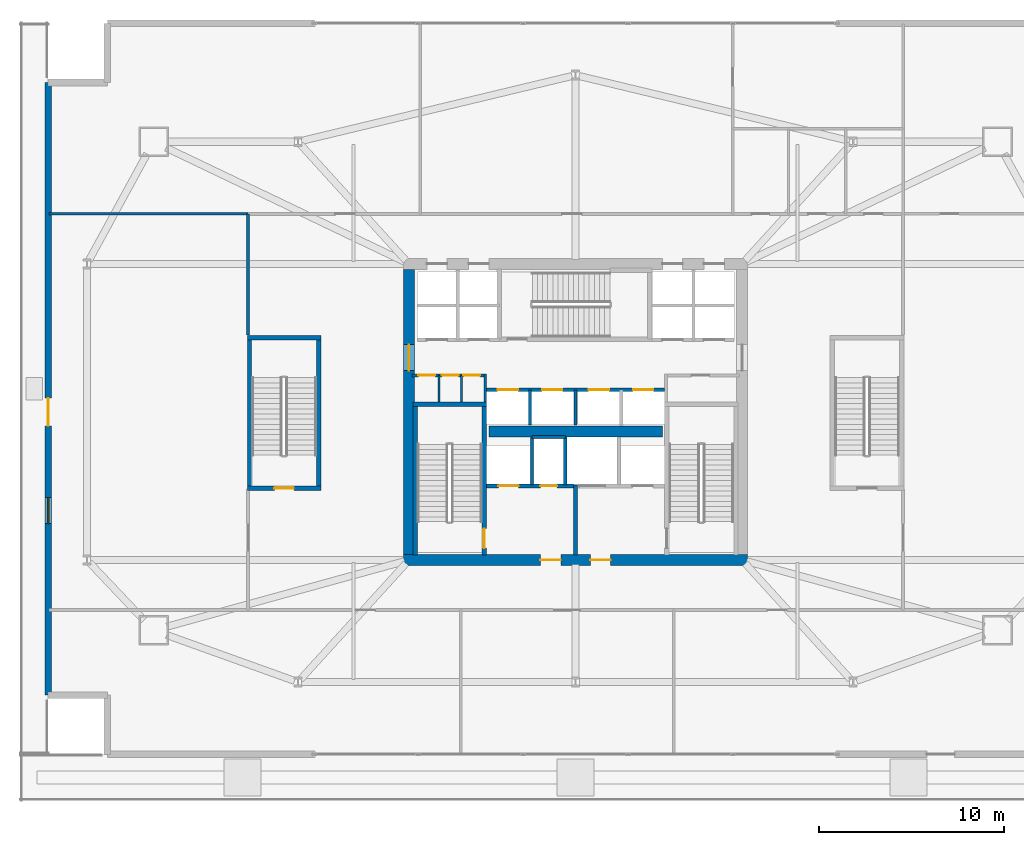
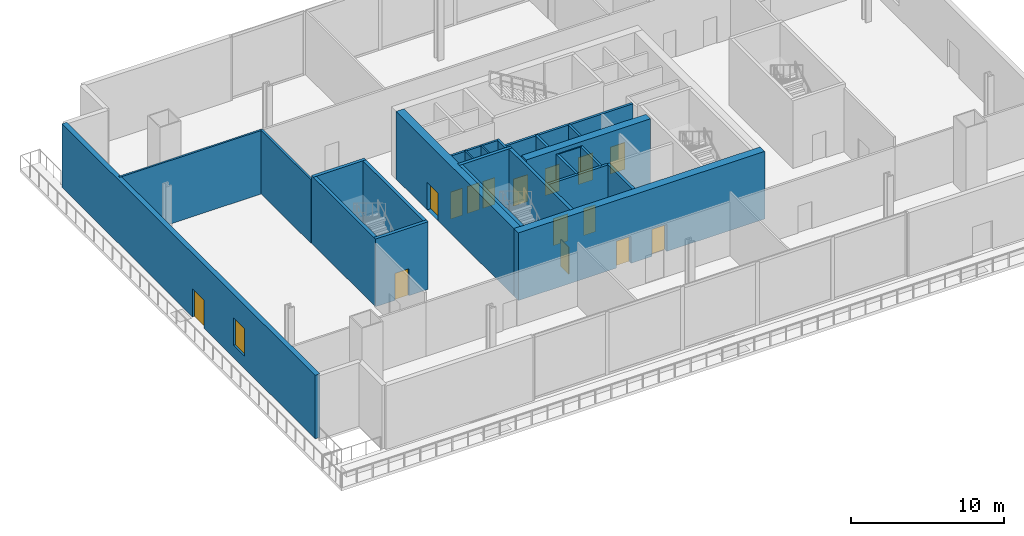
# One storey, part 11 of 20: 25 walls, 15 doors, 1 window, 16 openings.
"""IFC4 building model written with IfcOpenShell, lengths in metres."""

from ifc_helpers import new_model, si_unit, direction, frame, frame_2d, origin, place, context, subcontext, project, spatial, rectangle, extrude, material, layer, layer_set, type_object, element, fill, save


model = new_model("IFC4")

# Units and contexts
model_context = context("Model", 3, precision=1e-05, world=origin(), true_north=direction((0.0, 1.0)))
body_context = subcontext(model_context, "Body", "Model", "MODEL_VIEW")
ifc_project = project(units=[si_unit("LENGTHUNIT", "METRE"), si_unit("AREAUNIT", "SQUARE_METRE"), si_unit("VOLUMEUNIT", "CUBIC_METRE"), si_unit("PLANEANGLEUNIT", "RADIAN"), si_unit("MASSUNIT", "GRAM", prefix="KILO")], contexts=[model_context])

# Site, building, storey
site_placement = place(None, origin())
site = spatial("IfcSite", under=ifc_project, at=site_placement, CompositionType="ELEMENT")
building_placement = place(site_placement, origin())
building = spatial("IfcBuilding", under=site, at=building_placement, Name="Haldenkirk Collegiate Tower", CompositionType="ELEMENT")
storey_placement = place(building_placement, frame((0.0, 0.0, 11.39990234375)))
storey = spatial("IfcBuildingStorey", under=building, at=storey_placement, Name="L02", CompositionType="ELEMENT", Elevation=11.39990234375)

# Wall, openings, doors
ifc_material_1 = material(Name="Concrete f'c 70 MPa", Category="concrete")
ifc_layer_1 = layer(ifc_material_1, 0.60009765625)
ifc_layer_set_1 = layer_set([ifc_layer_1], Name="Concrete f'c 70 MPa")
wall_type_1 = type_object("IfcWallType", Name="WL-CORE-600", PredefinedType="SHEAR", material=ifc_layer_set_1)
wall_1_placement = place(storey_placement, frame((26.699951171875, 18.0, 0.0), z_axis=(0.0, 0.0, 1.0), x_axis=(1.0, 0.0, 0.0)))
wall_1 = element("IfcWall", 1, at=wall_1_placement, inside=storey, type_object=wall_type_1, Name="L02 central core shear wall S", PredefinedType="SHEAR", context=body_context, shape_type="SweptSolid", body=[
    extrude(rectangle(XDim=18.60009765625, YDim=0.60009765625, at=frame_2d((9.300048828125, 0.0))), origin(), (0.0, 0.0, 1.0), 5.400146484375),
])
opening_1_placement = place(wall_1_placement, frame((7.39990234375, 0.0, 0.0)))
opening_1 = element("IfcOpeningElement", 2, at=opening_1_placement, cuts=wall_1, Name="Opening D-02", PredefinedType="OPENING", context=body_context, shape_type="SweptSolid", body=[
    extrude(rectangle(XDim=1.10009765625, YDim=2.14990234375, at=frame_2d((0.550048828125, 1.074951171875))), frame((0.0, 0.31005859375, 0.0), z_axis=(0.0, -1.0, 0.0), x_axis=(1.0, 0.0, 0.0)), (0.0, 0.0, 1.0), 0.6201171875),
])
opening_2_placement = place(wall_1_placement, frame((10.10009765625, 0.0, 0.0)))
opening_2 = element("IfcOpeningElement", 3, at=opening_2_placement, cuts=wall_1, Name="Opening D-02", PredefinedType="OPENING", context=body_context, shape_type="SweptSolid", body=[
    extrude(rectangle(XDim=1.10009765625, YDim=2.14990234375, at=frame_2d((0.550048828125, 1.074951171875))), frame((0.0, 0.31005859375, 0.0), z_axis=(0.0, -1.0, 0.0), x_axis=(1.0, 0.0, 0.0)), (0.0, 0.0, 1.0), 0.6201171875),
])
ifc_material_2 = material(Name="Galvanized fire-rated hollow steel door", Category="steel")
ifc_layer_2 = layer(ifc_material_2, 0.06005859375)
ifc_layer_set_2 = layer_set([ifc_layer_2], Name="Galvanized fire-rated hollow steel door")
door_type_1 = type_object("IfcDoorType", Name="DR-STAIR-FD90-1100", OperationType="NOTDEFINED", PredefinedType="DOOR", material=ifc_layer_set_2)
door_1_placement = place(opening_1_placement, origin())
door_1 = element("IfcDoor", 4, at=door_1_placement, inside=storey, type_object=door_type_1, Name="L02 Firefighting Lobby 1 door", OperationType="SINGLE_SWING_LEFT", OverallHeight=2.14990234375, OverallWidth=1.10009765625, PredefinedType="DOOR", context=body_context, shape_type="SweptSolid", body=[
    extrude(rectangle(XDim=1.10009765625, YDim=2.14990234375, at=frame_2d((0.550048828125, 1.074951171875))), frame((0.0, 0.02490234375, 0.0), z_axis=(0.0, -1.0, 0.0), x_axis=(1.0, 0.0, 0.0)), (0.0, 0.0, 1.0), 0.050048828125),
])
fill(opening_1, door_1)
door_2_placement = place(opening_2_placement, origin())
door_2 = element("IfcDoor", 5, at=door_2_placement, inside=storey, type_object=door_type_1, Name="L02 Firefighting Lobby 2 door", OperationType="SINGLE_SWING_RIGHT", OverallHeight=2.14990234375, OverallWidth=1.10009765625, PredefinedType="DOOR", context=body_context, shape_type="SweptSolid", body=[
    extrude(rectangle(XDim=1.10009765625, YDim=2.14990234375, at=frame_2d((0.550048828125, 1.074951171875))), frame((0.0, 0.02490234375, 0.0), z_axis=(0.0, -1.0, 0.0), x_axis=(1.0, 0.0, 0.0)), (0.0, 0.0, 1.0), 0.050048828125),
])
fill(opening_2, door_2)

# Wall, opening, door
wall_2_placement = place(storey_placement, frame((27.0, 18.300048828125, 0.0), z_axis=(0.0, 0.0, 1.0), x_axis=(0.0, 1.0, 0.0)))
wall_2 = element("IfcWall", 6, at=wall_2_placement, inside=storey, type_object=wall_type_1, Name="L02 central core shear wall W", PredefinedType="SHEAR", context=body_context, shape_type="SweptSolid", body=[
    extrude(rectangle(XDim=15.39990234375, YDim=0.60009765625, at=frame_2d((7.699951171875, 0.0))), origin(), (0.0, 0.0, 1.0), 5.400146484375),
])
opening_3_placement = place(wall_2_placement, frame((9.93994140625, 0.0, 0.0)))
opening_3 = element("IfcOpeningElement", 7, at=opening_3_placement, cuts=wall_2, Name="Opening D-03", PredefinedType="OPENING", context=body_context, shape_type="SweptSolid", body=[
    extrude(rectangle(XDim=1.39990234375, YDim=2.199951171875, at=frame_2d((0.699951171875, 1.10009765625))), frame((0.0, 0.31005859375, 0.0), z_axis=(0.0, -1.0, 0.0), x_axis=(1.0, 0.0, 0.0)), (0.0, 0.0, 1.0), 0.6201171875),
])
ifc_layer_3 = layer(ifc_material_2, 0.06005859375)
ifc_layer_set_3 = layer_set([ifc_layer_3], Name="Galvanized fire-rated hollow steel door")
door_type_2 = type_object("IfcDoorType", Name="DR-LOBBY-FD90-1400", OperationType="NOTDEFINED", PredefinedType="DOOR", material=ifc_layer_set_3)
door_3_placement = place(opening_3_placement, origin())
door_3 = element("IfcDoor", 8, at=door_3_placement, inside=storey, type_object=door_type_2, Name="L02 west lift lobby portal", OperationType="DOUBLE_DOOR_SINGLE_SWING", OverallHeight=2.199951171875, OverallWidth=1.39990234375, PredefinedType="DOOR", context=body_context, shape_type="SweptSolid", body=[
    extrude(rectangle(XDim=1.39990234375, YDim=2.199951171875, at=frame_2d((0.699951171875, 1.10009765625))), frame((0.0, 0.02490234375, 0.0), z_axis=(0.0, -1.0, 0.0), x_axis=(1.0, 0.0, 0.0)), (0.0, 0.0, 1.0), 0.050048828125),
])
fill(opening_3, door_3)

# Wall
wall_3_placement = place(storey_placement, frame((31.31005859375, 24.949951171875, 0.0), z_axis=(0.0, 0.0, 1.0), x_axis=(1.0, 0.0, 0.0)))
element("IfcWall", 9, at=wall_3_placement, inside=storey, type_object=wall_type_1, Name="L02 central core spine shear wall", PredefinedType="SHEAR", context=body_context, shape_type="SweptSolid", body=[
    extrude(rectangle(XDim=9.3798828125, YDim=0.60009765625, at=frame_2d((4.68994140625, 0.0))), origin(), (0.0, 0.0, 1.0), 5.400146484375),
])

# Wall, openings, door, window
ifc_material_3 = material(Name="Precast concrete f'c 40 MPa", Category="concrete")
ifc_layer_4 = layer(ifc_material_3, 0.360107421875)
ifc_layer_set_4 = layer_set([ifc_layer_4], Name="Precast concrete f'c 40 MPa")
wall_type_2 = type_object("IfcWallType", Name="WL-EXT-POD-360", PredefinedType="STANDARD", material=ifc_layer_set_4)
wall_4_placement = place(storey_placement, frame((7.5, 10.699951171875, 0.0), z_axis=(0.0, 0.0, 1.0), x_axis=(0.0, 1.0, 0.0)))
wall_4 = element("IfcWall", 10, at=wall_4_placement, inside=storey, type_object=wall_type_2, Name="L02 podium bronze precast wall 10", PredefinedType="STANDARD", context=body_context, shape_type="SweptSolid", body=[
    extrude(rectangle(XDim=33.10009765625, YDim=0.360107421875, at=frame_2d((16.550048828125, 0.0))), origin(), (0.0, 0.0, 1.0), 5.070068359375),
])
opening_4_placement = place(wall_4_placement, frame((14.550048828125, 0.0, 0.0)))
opening_4 = element("IfcOpeningElement", 11, at=opening_4_placement, cuts=wall_4, Name="Opening D-PT15", PredefinedType="OPENING", context=body_context, shape_type="SweptSolid", body=[
    extrude(rectangle(XDim=1.5, YDim=2.25, at=frame_2d((0.75, 1.125))), frame((0.0, 0.18994140625, 0.0), z_axis=(0.0, -1.0, 0.0), x_axis=(1.0, 0.0, 0.0)), (0.0, 0.0, 1.0), 0.380126953125),
])
opening_5_placement = place(wall_4_placement, frame((9.26806640625, 0.0, 1.0)))
opening_5 = element("IfcOpeningElement", 12, at=opening_5_placement, cuts=wall_4, Name="Opening W-02", PredefinedType="OPENING", context=body_context, shape_type="SweptSolid", body=[
    extrude(rectangle(XDim=1.39990234375, YDim=2.199951171875, at=frame_2d((0.699951171875, 1.10009765625))), frame((0.0, 0.18994140625, 0.0), z_axis=(0.0, -1.0, 0.0), x_axis=(1.0, 0.0, 0.0)), (0.0, 0.0, 1.0), 0.380126953125),
])
ifc_material_4 = material(Name="Anodised architectural bronze aluminium", Category="aluminium")
ifc_layer_5 = layer(ifc_material_4, 0.080078125)
ifc_layer_set_5 = layer_set([ifc_layer_5], Name="Anodised architectural bronze aluminium")
door_type_3 = type_object("IfcDoorType", Name="DR-EXT-PTER-1500", OperationType="NOTDEFINED", PredefinedType="DOOR", material=ifc_layer_set_5)
door_4_placement = place(opening_4_placement, origin())
door_4 = element("IfcDoor", 13, at=door_4_placement, inside=storey, type_object=door_type_3, Name="L02 W cascade terrace door", OperationType="DOUBLE_DOOR_SINGLE_SWING", OverallHeight=2.25, OverallWidth=1.5, PredefinedType="DOOR", context=body_context, shape_type="SweptSolid", body=[
    extrude(rectangle(XDim=1.5, YDim=2.25, at=frame_2d((0.75, 1.125))), frame((0.0, 0.02490234375, 0.0), z_axis=(0.0, -1.0, 0.0), x_axis=(1.0, 0.0, 0.0)), (0.0, 0.0, 1.0), 0.050048828125),
])
fill(opening_4, door_4)
ifc_material_5 = material(Name="Low-E argon triple insulating glass", Category="glass")
ifc_layer_6 = layer(ifc_material_5, 0.090087890625)
ifc_layer_set_6 = layer_set([ifc_layer_6], Name="Low-E argon triple insulating glass")
window_type = type_object("IfcWindowType", Name="WN-POD-1400X2200", PartitioningType="SINGLE_PANEL", PredefinedType="WINDOW", material=ifc_layer_set_6)
window_placement = place(opening_5_placement, origin())
window = element("IfcWindow", 14, at=window_placement, inside=storey, type_object=window_type, Name="L02 podium academic window 10A", OverallHeight=2.199951171875, OverallWidth=1.39990234375, PartitioningType="SINGLE_PANEL", PredefinedType="WINDOW", context=body_context, shape_type="SweptSolid", body=[
    extrude(rectangle(XDim=1.39990234375, YDim=2.199951171875, at=frame_2d((0.699951171875, 1.10009765625))), frame((0.0, 0.030029296875, 0.0), z_axis=(0.0, -1.0, 0.0), x_axis=(1.0, 0.0, 0.0)), (0.0, 0.0, 1.0), 0.06005859375),
])
fill(opening_5, window)

# Wall, openings, doors
ifc_material_6 = material(Name="Acoustic fire-rated gypsum partition", Category="concrete")
ifc_layer_7 = layer(ifc_material_6, 0.159912109375)
ifc_layer_set_7 = layer_set([ifc_layer_7], Name="Acoustic fire-rated gypsum partition")
wall_type_3 = type_object("IfcWallType", Name="WL-INT-CORR-160", PredefinedType="PARTITIONING", material=ifc_layer_set_7)
wall_5_placement = place(storey_placement, frame((27.14990234375, 27.97998046875, 0.0), z_axis=(0.0, 0.0, 1.0), x_axis=(1.0, 0.0, 0.0)))
wall_5 = element("IfcWall", 15, at=wall_5_placement, inside=storey, type_object=wall_type_3, Name="L02 interior partition IW-L02-VCSW-N", PredefinedType="PARTITIONING", context=body_context, shape_type="SweptSolid", body=[
    extrude(rectangle(XDim=4.050048828125, YDim=0.159912109375, at=frame_2d((2.02490234375, 0.0))), origin(), (0.0, 0.0, 1.0), 5.070068359375),
])
opening_6_placement = place(wall_5_placement, frame((0.360107421875, 0.0, 0.0)))
opening_6 = element("IfcOpeningElement", 16, at=opening_6_placement, cuts=wall_5, Name="Opening D-11", PredefinedType="OPENING", context=body_context, shape_type="SweptSolid", body=[
    extrude(rectangle(XDim=0.89990234375, YDim=2.14990234375, at=frame_2d((0.449951171875, 1.074951171875))), frame((0.0, 0.08984375, 0.0), z_axis=(0.0, -1.0, 0.0), x_axis=(1.0, 0.0, 0.0)), (0.0, 0.0, 1.0), 0.179931640625),
])
opening_7_placement = place(wall_5_placement, frame((1.6298828125, 0.0, 0.0)))
opening_7 = element("IfcOpeningElement", 17, at=opening_7_placement, cuts=wall_5, Name="Opening D-11", PredefinedType="OPENING", context=body_context, shape_type="SweptSolid", body=[
    extrude(rectangle(XDim=0.89990234375, YDim=2.14990234375, at=frame_2d((0.449951171875, 1.074951171875))), frame((0.0, 0.08984375, 0.0), z_axis=(0.0, -1.0, 0.0), x_axis=(1.0, 0.0, 0.0)), (0.0, 0.0, 1.0), 0.179931640625),
])
opening_8_placement = place(wall_5_placement, frame((2.78759765625, 0.0, 0.0)))
opening_8 = element("IfcOpeningElement", 18, at=opening_8_placement, cuts=wall_5, Name="Opening D-11", PredefinedType="OPENING", context=body_context, shape_type="SweptSolid", body=[
    extrude(rectangle(XDim=0.89990234375, YDim=2.14990234375, at=frame_2d((0.449951171875, 1.074951171875))), frame((0.0, 0.08984375, 0.0), z_axis=(0.0, -1.0, 0.0), x_axis=(1.0, 0.0, 0.0)), (0.0, 0.0, 1.0), 0.179931640625),
])
ifc_material_7 = material(Name="Solid-core architectural oak fire door", Category="wood")
ifc_layer_8 = layer(ifc_material_7, 0.06005859375)
ifc_layer_set_8 = layer_set([ifc_layer_8], Name="Solid-core architectural oak fire door")
door_type_4 = type_object("IfcDoorType", Name="DR-INT-FD60-900", OperationType="NOTDEFINED", PredefinedType="DOOR", material=ifc_layer_set_8)
door_5_placement = place(opening_6_placement, origin())
door_5 = element("IfcDoor", 19, at=door_5_placement, inside=storey, type_object=door_type_4, Name="L02 core study booth door", OperationType="SINGLE_SWING_RIGHT", OverallHeight=2.14990234375, OverallWidth=0.89990234375, PredefinedType="DOOR", context=body_context, shape_type="SweptSolid", body=[
    extrude(rectangle(XDim=0.89990234375, YDim=2.14990234375, at=frame_2d((0.449951171875, 1.074951171875))), frame((0.0, 0.02490234375, 0.0), z_axis=(0.0, -1.0, 0.0), x_axis=(1.0, 0.0, 0.0)), (0.0, 0.0, 1.0), 0.050048828125),
])
fill(opening_6, door_5)
door_6_placement = place(opening_7_placement, origin())
door_6 = element("IfcDoor", 20, at=door_6_placement, inside=storey, type_object=door_type_4, Name="L02 core cleaners door", OperationType="SINGLE_SWING_LEFT", OverallHeight=2.14990234375, OverallWidth=0.89990234375, PredefinedType="DOOR", context=body_context, shape_type="SweptSolid", body=[
    extrude(rectangle(XDim=0.89990234375, YDim=2.14990234375, at=frame_2d((0.449951171875, 1.074951171875))), frame((0.0, 0.02490234375, 0.0), z_axis=(0.0, -1.0, 0.0), x_axis=(1.0, 0.0, 0.0)), (0.0, 0.0, 1.0), 0.050048828125),
])
fill(opening_7, door_6)
door_7_placement = place(opening_8_placement, origin())
door_7 = element("IfcDoor", 21, at=door_7_placement, inside=storey, type_object=door_type_4, Name="L02 core stationery door", OperationType="SINGLE_SWING_RIGHT", OverallHeight=2.14990234375, OverallWidth=0.89990234375, PredefinedType="DOOR", context=body_context, shape_type="SweptSolid", body=[
    extrude(rectangle(XDim=0.89990234375, YDim=2.14990234375, at=frame_2d((0.449951171875, 1.074951171875))), frame((0.0, 0.02490234375, 0.0), z_axis=(0.0, -1.0, 0.0), x_axis=(1.0, 0.0, 0.0)), (0.0, 0.0, 1.0), 0.050048828125),
])
fill(opening_8, door_7)

# Walls
wall_6_placement = place(storey_placement, frame((31.1201171875, 26.5400390625, 0.0), z_axis=(0.0, 0.0, 1.0), x_axis=(0.0, 1.0, 0.0)))
element("IfcWall", 22, at=wall_6_placement, inside=storey, type_object=wall_type_3, Name="L02 interior partition IW-L02-VCSW-E", PredefinedType="PARTITIONING", context=body_context, shape_type="SweptSolid", body=[
    extrude(rectangle(XDim=1.510009765625, YDim=0.159912109375, at=frame_2d((0.7548828125, 0.0))), origin(), (0.0, 0.0, 1.0), 5.070068359375),
])
wall_7_placement = place(storey_placement, frame((18.300048828125, 30.14990234375, 0.0), z_axis=(0.0, 0.0, 1.0), x_axis=(0.0, 1.0, 0.0)))
element("IfcWall", 23, at=wall_7_placement, inside=storey, type_object=wall_type_3, Name="L02 interior partition IW-L02-CW2", PredefinedType="PARTITIONING", context=body_context, shape_type="SweptSolid", body=[
    extrude(rectangle(XDim=6.550048828125, YDim=0.159912109375, at=frame_2d((3.27490234375, 0.0))), origin(), (0.0, 0.0, 1.0), 5.070068359375),
])
ifc_layer_9 = layer(ifc_material_6, 0.139892578125)
ifc_layer_set_9 = layer_set([ifc_layer_9], Name="Acoustic fire-rated gypsum partition")
wall_type_4 = type_object("IfcWallType", Name="WL-INT-DIV-140", PredefinedType="PARTITIONING", material=ifc_layer_set_9)
wall_8_placement = place(storey_placement, frame((7.5400390625, 36.699951171875, 0.0), z_axis=(0.0, 0.0, 1.0), x_axis=(1.0, 0.0, 0.0)))
element("IfcWall", 24, at=wall_8_placement, inside=storey, type_object=wall_type_4, Name="L02 interior partition IW-L02-WCN1", PredefinedType="PARTITIONING", context=body_context, shape_type="SweptSolid", body=[
    extrude(rectangle(XDim=10.760009765625, YDim=0.139892578125, at=frame_2d((5.3798828125, 0.0))), origin(), (0.0, 0.0, 1.0), 5.070068359375),
])
ifc_material_8 = material(Name="Fire-rated gypsum shaftboard assembly", Category="concrete")
ifc_layer_10 = layer(ifc_material_8, 0.179931640625)
ifc_layer_set_10 = layer_set([ifc_layer_10], Name="Fire-rated gypsum shaftboard assembly")
wall_type_5 = type_object("IfcWallType", Name="WL-INT-SHAFT-180", PredefinedType="PARTITIONING", material=ifc_layer_set_10)
for number, where, z_axis, x_axis, name in (
    (25, (33.64990234375, 22.050048828125, 0.0), (0.0, 0.0, 1.0), (0.0, 1.0, 0.0), "L02 interior partition IW-L02-FL1E"),
    (26, (35.449951171875, 22.050048828125, 0.0), (0.0, 0.0, 1.0), (0.0, 1.0, 0.0), "L02 interior partition IW-L02-GL1W"),
):
    element("IfcWall", number, at=place(storey_placement, frame(where, z_axis=z_axis, x_axis=x_axis)), inside=storey, type_object=wall_type_5, Name=name, PredefinedType="PARTITIONING", context=body_context, shape_type="SweptSolid", body=[
        extrude(rectangle(XDim=2.599853515625, YDim=0.179931640625, at=frame_2d((1.2998046875, 0.0))), origin(), (0.0, 0.0, 1.0), 5.070068359375),
    ])
wall_9_placement = place(storey_placement, frame((33.64990234375, 24.64990234375, 0.0), z_axis=(0.0, 0.0, 1.0), x_axis=(1.0, 0.0, 0.0)))
element("IfcWall", 27, at=wall_9_placement, inside=storey, type_object=wall_type_5, Name="L02 interior partition IW-L02-RSRN", PredefinedType="PARTITIONING", context=body_context, shape_type="SweptSolid", body=[
    extrude(rectangle(XDim=1.800048828125, YDim=0.179931640625, at=frame_2d((0.89990234375, 0.0))), origin(), (0.0, 0.0, 1.0), 5.070068359375),
])

# Wall, openings, doors
wall_10_placement = place(storey_placement, frame((31.199951171875, 27.199951171875, 0.0), z_axis=(0.0, 0.0, 1.0), x_axis=(1.0, 0.0, 0.0)))
wall_10 = element("IfcWall", 28, at=wall_10_placement, inside=storey, type_object=wall_type_5, Name="L02 interior partition IW-L02-PHN", PredefinedType="PARTITIONING", context=body_context, shape_type="SweptSolid", body=[
    extrude(rectangle(XDim=9.60009765625, YDim=0.179931640625, at=frame_2d((4.800048828125, 0.0))), origin(), (0.0, 0.0, 1.0), 5.070068359375),
])
opening_9_placement = place(wall_10_placement, frame((0.590087890625, 0.0, 0.0)))
opening_9 = element("IfcOpeningElement", 29, at=opening_9_placement, cuts=wall_10, Name="Opening LD-11", PredefinedType="OPENING", context=body_context, shape_type="SweptSolid", body=[
    extrude(rectangle(XDim=1.10009765625, YDim=2.14990234375, at=frame_2d((0.550048828125, 1.074951171875))), frame((0.0, 0.099853515625, 0.0), z_axis=(0.0, -1.0, 0.0), x_axis=(1.0, 0.0, 0.0)), (0.0, 0.0, 1.0), 0.199951171875),
])
opening_10_placement = place(wall_10_placement, frame((2.989990234375, 0.0, 0.0)))
opening_10 = element("IfcOpeningElement", 30, at=opening_10_placement, cuts=wall_10, Name="Opening LD-11", PredefinedType="OPENING", context=body_context, shape_type="SweptSolid", body=[
    extrude(rectangle(XDim=1.10009765625, YDim=2.14990234375, at=frame_2d((0.550048828125, 1.074951171875))), frame((0.0, 0.099853515625, 0.0), z_axis=(0.0, -1.0, 0.0), x_axis=(1.0, 0.0, 0.0)), (0.0, 0.0, 1.0), 0.199951171875),
])
opening_11_placement = place(wall_10_placement, frame((5.510009765625, 0.0, 0.0)))
opening_11 = element("IfcOpeningElement", 31, at=opening_11_placement, cuts=wall_10, Name="Opening LD-11", PredefinedType="OPENING", context=body_context, shape_type="SweptSolid", body=[
    extrude(rectangle(XDim=1.10009765625, YDim=2.14990234375, at=frame_2d((0.550048828125, 1.074951171875))), frame((0.0, 0.099853515625, 0.0), z_axis=(0.0, -1.0, 0.0), x_axis=(1.0, 0.0, 0.0)), (0.0, 0.0, 1.0), 0.199951171875),
])
opening_12_placement = place(wall_10_placement, frame((7.909912109375, 0.0, 0.0)))
opening_12 = element("IfcOpeningElement", 32, at=opening_12_placement, cuts=wall_10, Name="Opening LD-11", PredefinedType="OPENING", context=body_context, shape_type="SweptSolid", body=[
    extrude(rectangle(XDim=1.10009765625, YDim=2.14990234375, at=frame_2d((0.550048828125, 1.074951171875))), frame((0.0, 0.099853515625, 0.0), z_axis=(0.0, -1.0, 0.0), x_axis=(1.0, 0.0, 0.0)), (0.0, 0.0, 1.0), 0.199951171875),
])
ifc_material_9 = material(Name="Brushed architectural stainless steel", Category="steel")
ifc_layer_11 = layer(ifc_material_9, 0.06005859375)
ifc_layer_set_11 = layer_set([ifc_layer_11], Name="Brushed architectural stainless steel")
door_type_5 = type_object("IfcDoorType", Name="LD-PASS-1100", OperationType="NOTDEFINED", PredefinedType="DOOR", material=ifc_layer_set_11)
door_8_placement = place(opening_9_placement, origin())
door_8 = element("IfcDoor", 33, at=door_8_placement, inside=storey, type_object=door_type_5, Name="L02 Elevator PH1 sliding landing door", OperationType="SLIDING_TO_LEFT", OverallHeight=2.14990234375, OverallWidth=1.10009765625, PredefinedType="DOOR", context=body_context, shape_type="SweptSolid", body=[
    extrude(rectangle(XDim=1.10009765625, YDim=2.14990234375, at=frame_2d((0.550048828125, 1.074951171875))), frame((0.0, 0.02490234375, 0.0), z_axis=(0.0, -1.0, 0.0), x_axis=(1.0, 0.0, 0.0)), (0.0, 0.0, 1.0), 0.050048828125),
])
fill(opening_9, door_8)
door_9_placement = place(opening_10_placement, origin())
door_9 = element("IfcDoor", 34, at=door_9_placement, inside=storey, type_object=door_type_5, Name="L02 Elevator PH2 sliding landing door", OperationType="SLIDING_TO_LEFT", OverallHeight=2.14990234375, OverallWidth=1.10009765625, PredefinedType="DOOR", context=body_context, shape_type="SweptSolid", body=[
    extrude(rectangle(XDim=1.10009765625, YDim=2.14990234375, at=frame_2d((0.550048828125, 1.074951171875))), frame((0.0, 0.02490234375, 0.0), z_axis=(0.0, -1.0, 0.0), x_axis=(1.0, 0.0, 0.0)), (0.0, 0.0, 1.0), 0.050048828125),
])
fill(opening_10, door_9)
door_10_placement = place(opening_11_placement, origin())
door_10 = element("IfcDoor", 35, at=door_10_placement, inside=storey, type_object=door_type_5, Name="L02 Elevator PH3 sliding landing door", OperationType="SLIDING_TO_LEFT", OverallHeight=2.14990234375, OverallWidth=1.10009765625, PredefinedType="DOOR", context=body_context, shape_type="SweptSolid", body=[
    extrude(rectangle(XDim=1.10009765625, YDim=2.14990234375, at=frame_2d((0.550048828125, 1.074951171875))), frame((0.0, 0.02490234375, 0.0), z_axis=(0.0, -1.0, 0.0), x_axis=(1.0, 0.0, 0.0)), (0.0, 0.0, 1.0), 0.050048828125),
])
fill(opening_11, door_10)
door_11_placement = place(opening_12_placement, origin())
door_11 = element("IfcDoor", 36, at=door_11_placement, inside=storey, type_object=door_type_5, Name="L02 Elevator PH4 sliding landing door", OperationType="SLIDING_TO_LEFT", OverallHeight=2.14990234375, OverallWidth=1.10009765625, PredefinedType="DOOR", context=body_context, shape_type="SweptSolid", body=[
    extrude(rectangle(XDim=1.10009765625, YDim=2.14990234375, at=frame_2d((0.550048828125, 1.074951171875))), frame((0.0, 0.02490234375, 0.0), z_axis=(0.0, -1.0, 0.0), x_axis=(1.0, 0.0, 0.0)), (0.0, 0.0, 1.0), 0.050048828125),
])
fill(opening_12, door_11)

# Walls
for number, where, z_axis, x_axis, name in (
    (37, (33.5400390625, 25.300048828125, 0.0), (0.0, 0.0, 1.0), (0.0, 1.0, 0.0), "L02 interior partition IW-L02-PHV1"),
    (38, (36.0, 25.300048828125, 0.0), (0.0, 0.0, 1.0), (0.0, 1.0, 0.0), "L02 interior partition IW-L02-PHV2"),
):
    element("IfcWall", number, at=place(storey_placement, frame(where, z_axis=z_axis, x_axis=x_axis)), inside=storey, type_object=wall_type_5, Name=name, PredefinedType="PARTITIONING", context=body_context, shape_type="SweptSolid", body=[
        extrude(rectangle(XDim=1.89990234375, YDim=0.179931640625, at=frame_2d((0.949951171875, 0.0))), origin(), (0.0, 0.0, 1.0), 5.070068359375),
    ])
ifc_layer_12 = layer(ifc_material_8, 0.199951171875)
ifc_layer_set_12 = layer_set([ifc_layer_12], Name="Fire-rated gypsum shaftboard assembly")
wall_type_6 = type_object("IfcWallType", Name="WL-INT-SHAFT-200", PredefinedType="PARTITIONING", material=ifc_layer_set_12)
wall_11_placement = place(storey_placement, frame((36.0, 18.280029296875, 0.0), z_axis=(0.0, 0.0, 1.0), x_axis=(0.0, 1.0, 0.0)))
element("IfcWall", 39, at=wall_11_placement, inside=storey, type_object=wall_type_6, Name="L02 interior partition IW-L02-FFLM", PredefinedType="PARTITIONING", context=body_context, shape_type="SweptSolid", body=[
    extrude(rectangle(XDim=3.77001953125, YDim=0.199951171875, at=frame_2d((1.885009765625, 0.0))), origin(), (0.0, 0.0, 1.0), 5.070068359375),
])

# Wall, openings, doors
wall_12_placement = place(storey_placement, frame((31.18994140625, 22.0, 0.0), z_axis=(0.0, 0.0, 1.0), x_axis=(1.0, 0.0, 0.0)))
wall_12 = element("IfcWall", 40, at=wall_12_placement, inside=storey, type_object=wall_type_6, Name="L02 interior partition IW-L02-FFL1N", PredefinedType="PARTITIONING", context=body_context, shape_type="SweptSolid", body=[
    extrude(rectangle(XDim=4.68994140625, YDim=0.199951171875, at=frame_2d((2.344970703125, 0.0))), origin(), (0.0, 0.0, 1.0), 5.070068359375),
])
opening_13_placement = place(wall_12_placement, frame((2.909912109375, 0.0, 0.0)))
opening_13 = element("IfcOpeningElement", 41, at=opening_13_placement, cuts=wall_12, Name="Opening D-06", PredefinedType="OPENING", context=body_context, shape_type="SweptSolid", body=[
    extrude(rectangle(XDim=0.89990234375, YDim=2.14990234375, at=frame_2d((0.449951171875, 1.074951171875))), frame((0.0, 0.10986328125, 0.0), z_axis=(0.0, -1.0, 0.0), x_axis=(1.0, 0.0, 0.0)), (0.0, 0.0, 1.0), 0.219970703125),
])
opening_14_placement = place(wall_12_placement, frame((0.635009765625, 0.0, 0.0)))
opening_14 = element("IfcOpeningElement", 42, at=opening_14_placement, cuts=wall_12, Name="Opening LD-12", PredefinedType="OPENING", context=body_context, shape_type="SweptSolid", body=[
    extrude(rectangle(XDim=1.10009765625, YDim=2.14990234375, at=frame_2d((0.550048828125, 1.074951171875))), frame((0.0, 0.10986328125, 0.0), z_axis=(0.0, -1.0, 0.0), x_axis=(1.0, 0.0, 0.0)), (0.0, 0.0, 1.0), 0.219970703125),
])
ifc_layer_13 = layer(ifc_material_2, 0.06005859375)
ifc_layer_set_13 = layer_set([ifc_layer_13], Name="Galvanized fire-rated hollow steel door")
door_type_6 = type_object("IfcDoorType", Name="DR-INT-FD90-900", OperationType="NOTDEFINED", PredefinedType="DOOR", material=ifc_layer_set_13)
door_12_placement = place(opening_13_placement, origin())
door_12 = element("IfcDoor", 43, at=door_12_placement, inside=storey, type_object=door_type_6, Name="L02 electrical riser door", OperationType="SINGLE_SWING_LEFT", OverallHeight=2.14990234375, OverallWidth=0.89990234375, PredefinedType="DOOR", context=body_context, shape_type="SweptSolid", body=[
    extrude(rectangle(XDim=0.89990234375, YDim=2.14990234375, at=frame_2d((0.449951171875, 1.074951171875))), frame((0.0, 0.02490234375, 0.0), z_axis=(0.0, -1.0, 0.0), x_axis=(1.0, 0.0, 0.0)), (0.0, 0.0, 1.0), 0.050048828125),
])
fill(opening_13, door_12)
ifc_layer_14 = layer(ifc_material_9, 0.06005859375)
ifc_layer_set_14 = layer_set([ifc_layer_14], Name="Brushed architectural stainless steel")
door_type_7 = type_object("IfcDoorType", Name="LD-FIRE-1100", OperationType="NOTDEFINED", PredefinedType="DOOR", material=ifc_layer_set_14)
door_13_placement = place(opening_14_placement, origin())
door_13 = element("IfcDoor", 44, at=door_13_placement, inside=storey, type_object=door_type_7, Name="L02 Elevator FL1 sliding landing door", OperationType="SLIDING_TO_LEFT", OverallHeight=2.14990234375, OverallWidth=1.10009765625, PredefinedType="DOOR", context=body_context, shape_type="SweptSolid", body=[
    extrude(rectangle(XDim=1.10009765625, YDim=2.14990234375, at=frame_2d((0.550048828125, 1.074951171875))), frame((0.0, 0.02490234375, 0.0), z_axis=(0.0, -1.0, 0.0), x_axis=(1.0, 0.0, 0.0)), (0.0, 0.0, 1.0), 0.050048828125),
])
fill(opening_14, door_13)

# Walls
ifc_layer_15 = layer(ifc_material_6, 0.1201171875)
ifc_layer_set_15 = layer_set([ifc_layer_15], Name="Acoustic fire-rated gypsum partition")
wall_type_7 = type_object("IfcWallType", Name="WL-INT-WET-120", PredefinedType="PARTITIONING", material=ifc_layer_set_15)
for number, where, z_axis, x_axis, name in (
    (45, (28.6201171875, 26.5400390625, 0.0), (0.0, 0.0, 1.0), (0.0, 1.0, 0.0), "L02 interior partition IW-L02-VCSW-M1"),
    (46, (29.840087890625, 26.5400390625, 0.0), (0.0, 0.0, 1.0), (0.0, 1.0, 0.0), "L02 interior partition IW-L02-VCSW-M2"),
):
    element("IfcWall", number, at=place(storey_placement, frame(where, z_axis=z_axis, x_axis=x_axis)), inside=storey, type_object=wall_type_7, Name=name, PredefinedType="PARTITIONING", context=body_context, shape_type="SweptSolid", body=[
        extrude(rectangle(XDim=1.43994140625, YDim=0.1201171875, at=frame_2d((0.719970703125, 0.0))), origin(), (0.0, 0.0, 1.0), 5.070068359375),
    ])

# Wall, opening, door
ifc_material_10 = material(Name="Concrete f'c 55 MPa", Category="concrete")
ifc_layer_16 = layer(ifc_material_10, 0.239990234375)
ifc_layer_set_16 = layer_set([ifc_layer_16], Name="Concrete f'c 55 MPa")
wall_type_8 = type_object("IfcWallType", Name="WL-SHAFT-240", PredefinedType="SHEAR", material=ifc_layer_set_16)
wall_13_placement = place(storey_placement, frame((31.070068359375, 18.280029296875, 0.0), z_axis=(0.0, 0.0, 1.0), x_axis=(0.0, 1.0, 0.0)))
wall_13 = element("IfcWall", 47, at=wall_13_placement, inside=storey, type_object=wall_type_8, Name="L02 stair shaft shear wall SW-L02-ST1E", PredefinedType="SHEAR", context=body_context, shape_type="SweptSolid", body=[
    extrude(rectangle(XDim=8.260009765625, YDim=0.239990234375, at=frame_2d((4.1298828125, 0.0))), origin(), (0.0, 0.0, 1.0), 5.400146484375),
])
opening_15_placement = place(wall_13_placement, frame((0.364990234375, 0.0, 0.0)))
opening_15 = element("IfcOpeningElement", 48, at=opening_15_placement, cuts=wall_13, Name="Opening D-01", PredefinedType="OPENING", context=body_context, shape_type="SweptSolid", body=[
    extrude(rectangle(XDim=1.050048828125, YDim=2.14990234375, at=frame_2d((0.52490234375, 1.074951171875))), frame((0.0, 0.1298828125, 0.0), z_axis=(0.0, -1.0, 0.0), x_axis=(1.0, 0.0, 0.0)), (0.0, 0.0, 1.0), 0.260009765625),
])
ifc_layer_17 = layer(ifc_material_2, 0.06005859375)
ifc_layer_set_17 = layer_set([ifc_layer_17], Name="Galvanized fire-rated hollow steel door")
door_type_8 = type_object("IfcDoorType", Name="DR-STAIR-FD90-1050", OperationType="NOTDEFINED", PredefinedType="DOOR", material=ifc_layer_set_17)
door_14_placement = place(opening_15_placement, origin())
door_14 = element("IfcDoor", 49, at=door_14_placement, inside=storey, type_object=door_type_8, Name="L02 Stair 1 door", OperationType="SINGLE_SWING_LEFT", OverallHeight=2.14990234375, OverallWidth=1.050048828125, PredefinedType="DOOR", context=body_context, shape_type="SweptSolid", body=[
    extrude(rectangle(XDim=1.050048828125, YDim=2.14990234375, at=frame_2d((0.52490234375, 1.074951171875))), frame((0.0, 0.02490234375, 0.0), z_axis=(0.0, -1.0, 0.0), x_axis=(1.0, 0.0, 0.0)), (0.0, 0.0, 1.0), 0.050048828125),
])
fill(opening_15, door_14)

# Walls
wall_14_placement = place(storey_placement, frame((27.2099609375, 26.419921875, 0.0), z_axis=(0.0, 0.0, 1.0), x_axis=(1.0, 0.0, 0.0)))
element("IfcWall", 50, at=wall_14_placement, inside=storey, type_object=wall_type_8, Name="L02 stair shaft shear wall SW-L02-ST1N", PredefinedType="SHEAR", context=body_context, shape_type="SweptSolid", body=[
    extrude(rectangle(XDim=3.97998046875, YDim=0.239990234375, at=frame_2d((1.989990234375, 0.0))), origin(), (0.0, 0.0, 1.0), 5.400146484375),
])
wall_15_placement = place(storey_placement, frame((27.330078125, 18.280029296875, 0.0), z_axis=(0.0, 0.0, 1.0), x_axis=(0.0, 1.0, 0.0)))
element("IfcWall", 51, at=wall_15_placement, inside=storey, type_object=wall_type_8, Name="L02 stair shaft shear wall SW-L02-ST1W", PredefinedType="SHEAR", context=body_context, shape_type="SweptSolid", body=[
    extrude(rectangle(XDim=8.260009765625, YDim=0.239990234375, at=frame_2d((4.1298828125, 0.0))), origin(), (0.0, 0.0, 1.0), 5.400146484375),
])
for number, where, z_axis, x_axis, name in (
    (52, (18.3798828125, 21.760009765625, 0.0), (0.0, 0.0, 1.0), (0.0, 1.0, 0.0), "L02 stair shaft shear wall SW-L02-ST4W"),
    (53, (22.1201171875, 21.760009765625, 0.0), (0.0, 0.0, 1.0), (0.0, 1.0, 0.0), "L02 stair shaft shear wall SW-L02-ST4E"),
):
    element("IfcWall", number, at=place(storey_placement, frame(where, z_axis=z_axis, x_axis=x_axis)), inside=storey, type_object=wall_type_8, Name=name, PredefinedType="SHEAR", context=body_context, shape_type="SweptSolid", body=[
        extrude(rectangle(XDim=8.3798828125, YDim=0.239990234375, at=frame_2d((4.18994140625, 0.0))), origin(), (0.0, 0.0, 1.0), 5.400146484375),
    ])

# Wall, opening, door
wall_16_placement = place(storey_placement, frame((18.260009765625, 21.8798828125, 0.0), z_axis=(0.0, 0.0, 1.0), x_axis=(1.0, 0.0, 0.0)))
wall_16 = element("IfcWall", 54, at=wall_16_placement, inside=storey, type_object=wall_type_8, Name="L02 stair shaft shear wall SW-L02-ST4S", PredefinedType="SHEAR", context=body_context, shape_type="SweptSolid", body=[
    extrude(rectangle(XDim=3.97998046875, YDim=0.239990234375, at=frame_2d((1.989990234375, 0.0))), origin(), (0.0, 0.0, 1.0), 5.400146484375),
])
opening_16_placement = place(wall_16_placement, frame((1.465087890625, 0.0, 0.0)))
opening_16 = element("IfcOpeningElement", 55, at=opening_16_placement, cuts=wall_16, Name="Opening D-01", PredefinedType="OPENING", context=body_context, shape_type="SweptSolid", body=[
    extrude(rectangle(XDim=1.050048828125, YDim=2.14990234375, at=frame_2d((0.52490234375, 1.074951171875))), frame((0.0, 0.1298828125, 0.0), z_axis=(0.0, -1.0, 0.0), x_axis=(1.0, 0.0, 0.0)), (0.0, 0.0, 1.0), 0.260009765625),
])
door_15_placement = place(opening_16_placement, origin())
door_15 = element("IfcDoor", 56, at=door_15_placement, inside=storey, type_object=door_type_8, Name="L02 Stair 4 door", OperationType="SINGLE_SWING_RIGHT", OverallHeight=2.14990234375, OverallWidth=1.050048828125, PredefinedType="DOOR", context=body_context, shape_type="SweptSolid", body=[
    extrude(rectangle(XDim=1.050048828125, YDim=2.14990234375, at=frame_2d((0.52490234375, 1.074951171875))), frame((0.0, 0.02490234375, 0.0), z_axis=(0.0, -1.0, 0.0), x_axis=(1.0, 0.0, 0.0)), (0.0, 0.0, 1.0), 0.050048828125),
])
fill(opening_16, door_15)

# Wall
wall_17_placement = place(storey_placement, frame((18.260009765625, 30.02001953125, 0.0), z_axis=(0.0, 0.0, 1.0), x_axis=(1.0, 0.0, 0.0)))
element("IfcWall", 57, at=wall_17_placement, inside=storey, type_object=wall_type_8, Name="L02 stair shaft shear wall SW-L02-ST4N", PredefinedType="SHEAR", context=body_context, shape_type="SweptSolid", body=[
    extrude(rectangle(XDim=3.97998046875, YDim=0.239990234375, at=frame_2d((1.989990234375, 0.0))), origin(), (0.0, 0.0, 1.0), 5.400146484375),
])

save(model, "model.ifc")
